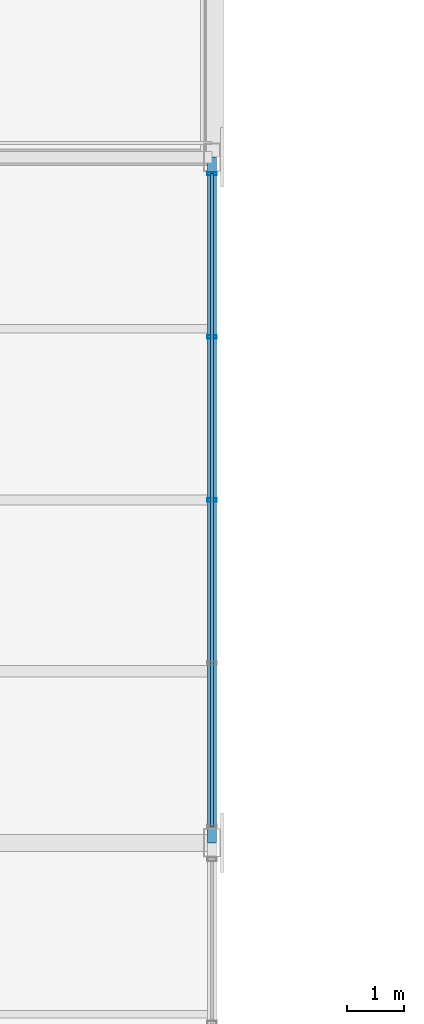
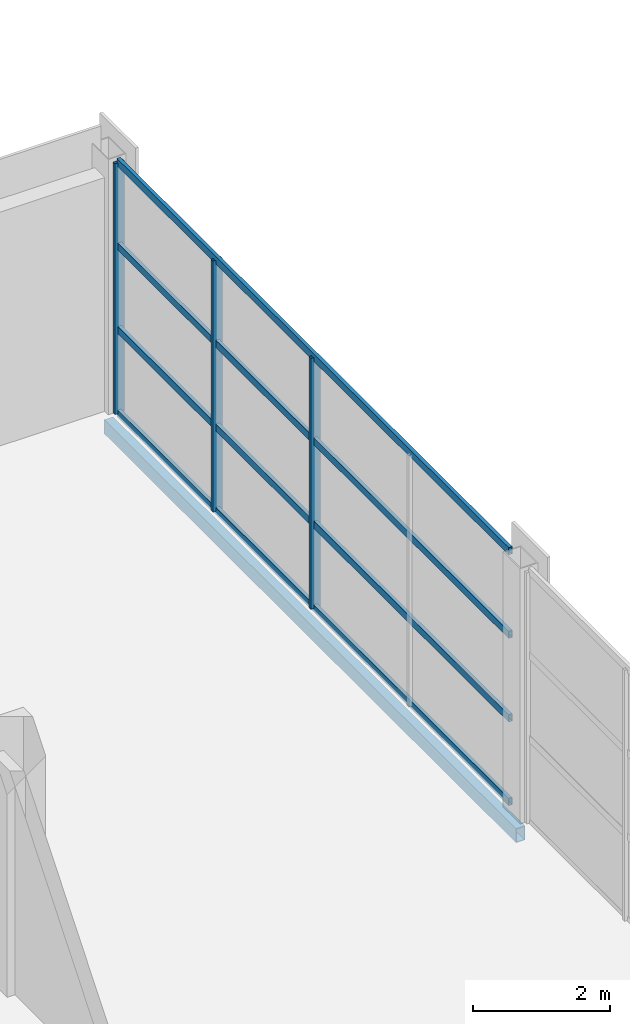
# One storey, part 50 of 86: 7 members, 1 beam, 1 element without a shape of its own.
"""IFC4 building model written with IfcOpenShell, lengths in metres."""

from ifc_helpers import new_model, si_unit, direction, frame, origin, origin_2d, place, context, subcontext, project, spatial, hollow_rectangle, extrude, material, material_profile, profile_set, type_object, element, aggregate, save


model = new_model("IFC4")

# Units and contexts
model_context = context("Model", 3, precision=1e-05, world=origin(), true_north=direction((0.0, 1.0)))
body_context = subcontext(model_context, "Body", "Model", "MODEL_VIEW")
ifc_project = project(units=[si_unit("LENGTHUNIT", "METRE"), si_unit("AREAUNIT", "SQUARE_METRE"), si_unit("VOLUMEUNIT", "CUBIC_METRE"), si_unit("PLANEANGLEUNIT", "RADIAN"), si_unit("MASSUNIT", "GRAM", prefix="KILO")], contexts=[model_context])

# Site, building, storey
site_placement = place(None, origin())
site = spatial("IfcSite", under=ifc_project, at=site_placement, CompositionType="ELEMENT")
building_placement = place(site_placement, origin())
building = spatial("IfcBuilding", under=site, at=building_placement, Name="Solvikara Media Centre", CompositionType="ELEMENT")
storey_placement = place(building_placement, frame((0.0, 0.0, 15.0)))
storey = spatial("IfcBuildingStorey", under=building, at=storey_placement, Name="L03", CompositionType="ELEMENT", Elevation=15.0)

# Beam
ifc_material_1 = material(Name="Steel S355JR", Category="steel")
ifc_material_profile_1 = material_profile(ifc_material_1, hollow_rectangle(XDim=0.14990234375, YDim=0.25, WallThickness=0.008056640625, at=origin_2d()), Name="RHS 250x150x8")
ifc_profile_set_1 = profile_set([ifc_material_profile_1], Name="Steel S355JR")
beam_type = type_object("IfcBeamType", Name="BM-36", PredefinedType="JOIST", material=ifc_profile_set_1)
beam_placement = place(storey_placement, frame((34.0, 68.5, -0.386962890625), z_axis=(0.0, 1.0, 0.0), x_axis=(-1.0, 0.0, 0.0)))
element("IfcBeam", 1, at=beam_placement, inside=storey, type_object=beam_type, Name="B-L03-Y1260", PredefinedType="JOIST", context=body_context, shape_type="SweptSolid", body=[
    extrude(hollow_rectangle(XDim=0.14990234375, YDim=0.25, WallThickness=0.008056640625, at=origin_2d()), origin(), (0.0, 0.0, 1.0), 12.0),
])

# Curtain wall, members
ifc_material_2 = material(Name="Anodised aluminium EN AW-6063", Category="aluminium")
curtain_wall_type = type_object("IfcCurtainWallType", Name="CW-07", PredefinedType="NOTDEFINED", material=ifc_material_2)
curtain_wall_placement = place(storey_placement, origin())
curtain_wall = element("IfcCurtainWall", 2, at=curtain_wall_placement, inside=storey, type_object=curtain_wall_type, Name="CW-L03-V4E-S3", PredefinedType="NOTDEFINED")
ifc_material_profile_2 = material_profile(ifc_material_2, hollow_rectangle(XDim=0.06005859375, YDim=0.159912109375, WallThickness=0.00341796875, at=origin_2d()), Name="ALU-M 60x160x3.5")
ifc_profile_set_2 = profile_set([ifc_material_profile_2], Name="Anodised aluminium EN AW-6063")
member_type_1 = type_object("IfcMemberType", Name="MF-04", PredefinedType="MULLION", material=ifc_profile_set_2)
member_1_placement = place(storey_placement, frame((34.0, 74.5, 0.02001953125), z_axis=(0.0, 0.0, 1.0), x_axis=(0.0, 1.0, 0.0)))
member_1 = element("IfcMember", 3, at=member_1_placement, type_object=member_type_1, Name="CW-L03-V4E-S3-M02", PredefinedType="MULLION", context=body_context, shape_type="SweptSolid", body=[
    extrude(hollow_rectangle(XDim=0.06005859375, YDim=0.159912109375, WallThickness=0.00341796875, at=origin_2d()), origin(), (0.0, 0.0, 1.0), 4.4599609375),
])
member_2_placement = place(storey_placement, frame((34.0, 77.35498046875, 0.02001953125), z_axis=(0.0, 0.0, 1.0), x_axis=(0.0, 1.0, 0.0)))
member_2 = element("IfcMember", 4, at=member_2_placement, type_object=member_type_1, Name="CW-L03-V4E-S3-M03", PredefinedType="MULLION", context=body_context, shape_type="SweptSolid", body=[
    extrude(hollow_rectangle(XDim=0.06005859375, YDim=0.159912109375, WallThickness=0.00341796875, at=origin_2d()), origin(), (0.0, 0.0, 1.0), 4.4599609375),
])
member_3_placement = place(storey_placement, frame((34.0, 80.2099609375, 0.02001953125), z_axis=(0.0, 0.0, 1.0), x_axis=(0.0, 1.0, 0.0)))
member_3 = element("IfcMember", 5, at=member_3_placement, type_object=member_type_1, Name="CW-L03-V4E-S3-M04", PredefinedType="MULLION", context=body_context, shape_type="SweptSolid", body=[
    extrude(hollow_rectangle(XDim=0.06005859375, YDim=0.159912109375, WallThickness=0.00341796875, at=origin_2d()), origin(), (0.0, 0.0, 1.0), 4.4599609375),
])
ifc_material_profile_3 = material_profile(ifc_material_2, hollow_rectangle(XDim=0.06005859375, YDim=0.1298828125, WallThickness=0.0029296875, at=origin_2d()), Name="ALU-T 60x130x3")
ifc_profile_set_3 = profile_set([ifc_material_profile_3], Name="Anodised aluminium EN AW-6063")
member_type_2 = type_object("IfcMemberType", Name="MF-10", PredefinedType="USERDEFINED", material=ifc_profile_set_3)
member_4_placement = place(storey_placement, frame((34.0, 68.7900390625, 0.02001953125), z_axis=(0.0, 1.0, 0.0), x_axis=(-1.0, 0.0, 0.0)))
member_4 = element("IfcMember", 6, at=member_4_placement, type_object=member_type_2, Name="CW-L03-V4E-S3-T00", ObjectType="TRANSOM", PredefinedType="USERDEFINED", context=body_context, shape_type="SweptSolid", body=[
    extrude(hollow_rectangle(XDim=0.06005859375, YDim=0.1298828125, WallThickness=0.0029296875, at=origin_2d()), origin(), (0.0, 0.0, 1.0), 11.419921875),
])
member_5_placement = place(storey_placement, frame((34.0, 68.7900390625, 1.507080078125), z_axis=(0.0, 1.0, 0.0), x_axis=(-1.0, 0.0, 0.0)))
member_5 = element("IfcMember", 7, at=member_5_placement, type_object=member_type_2, Name="CW-L03-V4E-S3-T01", ObjectType="TRANSOM", PredefinedType="USERDEFINED", context=body_context, shape_type="SweptSolid", body=[
    extrude(hollow_rectangle(XDim=0.06005859375, YDim=0.1298828125, WallThickness=0.0029296875, at=origin_2d()), origin(), (0.0, 0.0, 1.0), 11.419921875),
])
member_6_placement = place(storey_placement, frame((34.0, 68.7900390625, 2.992919921875), z_axis=(0.0, 1.0, 0.0), x_axis=(-1.0, 0.0, 0.0)))
member_6 = element("IfcMember", 8, at=member_6_placement, type_object=member_type_2, Name="CW-L03-V4E-S3-T02", ObjectType="TRANSOM", PredefinedType="USERDEFINED", context=body_context, shape_type="SweptSolid", body=[
    extrude(hollow_rectangle(XDim=0.06005859375, YDim=0.1298828125, WallThickness=0.0029296875, at=origin_2d()), origin(), (0.0, 0.0, 1.0), 11.419921875),
])
member_7_placement = place(storey_placement, frame((34.0, 68.7900390625, 4.47998046875), z_axis=(0.0, 1.0, 0.0), x_axis=(-1.0, 0.0, 0.0)))
member_7 = element("IfcMember", 9, at=member_7_placement, type_object=member_type_2, Name="CW-L03-V4E-S3-T03", ObjectType="TRANSOM", PredefinedType="USERDEFINED", context=body_context, shape_type="SweptSolid", body=[
    extrude(hollow_rectangle(XDim=0.06005859375, YDim=0.1298828125, WallThickness=0.0029296875, at=origin_2d()), origin(), (0.0, 0.0, 1.0), 11.419921875),
])
aggregate(curtain_wall, [member_1, member_2, member_3, member_4, member_5, member_6, member_7])

save(model, "model.ifc")
